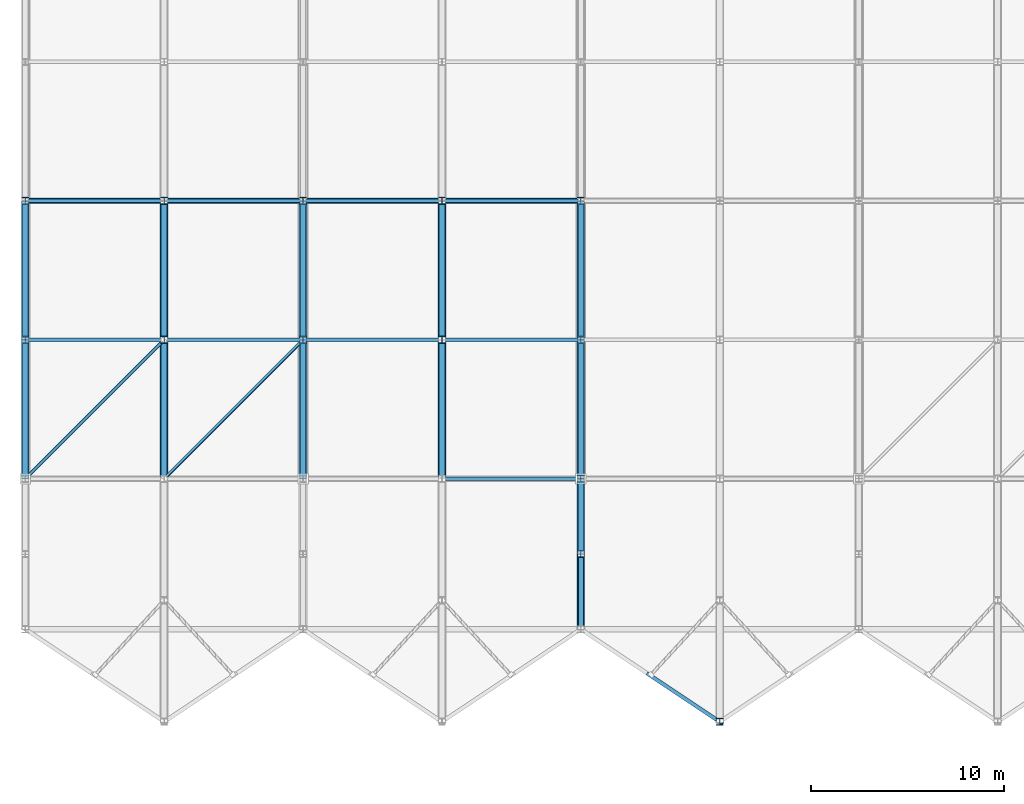
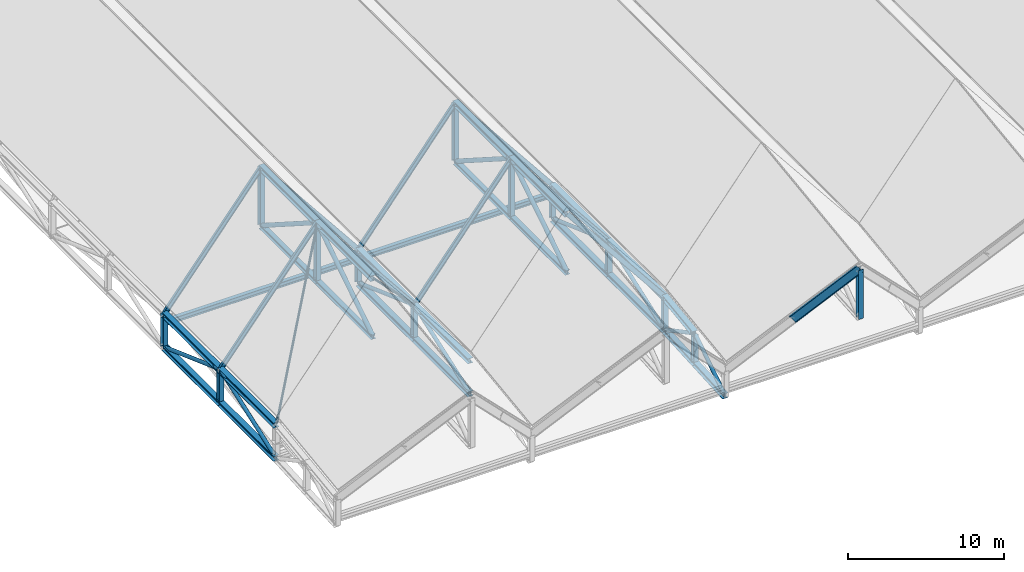
# One storey, part 4 of 60: 60 members, 2 beams.
"""IFC4 building model written with IfcOpenShell, lengths in metres."""

from ifc_helpers import new_model, si_unit, direction, frame, origin, origin_2d, place, context, subcontext, project, spatial, hollow_circle, i_section, extrude, material, material_profile, profile_set, type_object, element, save


model = new_model("IFC4")

# Units and contexts
model_context = context("Model", 3, precision=1e-05, world=origin(), true_north=direction((0.0, 1.0)))
body_context = subcontext(model_context, "Body", "Model", "MODEL_VIEW")
ifc_project = project(units=[si_unit("LENGTHUNIT", "METRE"), si_unit("AREAUNIT", "SQUARE_METRE"), si_unit("VOLUMEUNIT", "CUBIC_METRE"), si_unit("PLANEANGLEUNIT", "RADIAN"), si_unit("MASSUNIT", "GRAM", prefix="KILO")], contexts=[model_context])

# Site, building, storey
site_placement = place(None, origin())
site = spatial("IfcSite", under=ifc_project, at=site_placement, CompositionType="ELEMENT")
building_placement = place(site_placement, origin())
building = spatial("IfcBuilding", under=site, at=building_placement, Name="Vesperath Aquatics Centre", CompositionType="ELEMENT")
storey_placement = place(building_placement, frame((0.0, 0.0, 27.60009765625)))
storey = spatial("IfcBuildingStorey", under=building, at=storey_placement, Name="RF", CompositionType="ELEMENT", Elevation=27.60009765625)

# Beams
ifc_material_1 = material(Name="Steel Q355C", Category="steel")
ifc_material_profile_1 = material_profile(ifc_material_1, i_section(OverallWidth=0.300048828125, OverallDepth=0.389892578125, WebThickness=0.010009765625, FlangeThickness=0.01611328125, FilletRadius=0.02197265625, at=origin_2d()), Name="HM 390x300x10x16")
ifc_profile_set_1 = profile_set([ifc_material_profile_1], Name="Steel Q355C")
beam_type = type_object("IfcBeamType", Name="BM-RB03", PredefinedType="BEAM", material=ifc_profile_set_1)
beam_1_placement = place(storey_placement, frame((0.0, 28.800048828125, -10.478759765625), z_axis=(1.0, 0.0, 0.0), x_axis=(0.0, 1.0, 0.0)))
element("IfcBeam", 1, at=beam_1_placement, inside=storey, type_object=beam_type, Name="Natatorium Roof Deck Support Beam B11 G1-28.8", PredefinedType="BEAM", context=body_context, shape_type="SweptSolid", body=[
    extrude(i_section(OverallWidth=0.300048828125, OverallDepth=0.389892578125, WebThickness=0.010009765625, FlangeThickness=0.01611328125, FilletRadius=0.02197265625, at=origin_2d()), origin(), (0.0, 0.0, 1.0), 14.39990234375),
])
beam_2_placement = place(storey_placement, frame((14.39990234375, 28.800048828125, -10.478759765625), z_axis=(1.0, 0.0, 0.0), x_axis=(0.0, 1.0, 0.0)))
element("IfcBeam", 2, at=beam_2_placement, inside=storey, type_object=beam_type, Name="Natatorium Roof Deck Support Beam B11 G2-28.8", PredefinedType="BEAM", context=body_context, shape_type="SweptSolid", body=[
    extrude(i_section(OverallWidth=0.300048828125, OverallDepth=0.389892578125, WebThickness=0.010009765625, FlangeThickness=0.01611328125, FilletRadius=0.02197265625, at=origin_2d()), origin(), (0.0, 0.0, 1.0), 14.400146484375),
])

# Members
ifc_material_2 = material(Name="Steel Q355D", Category="steel")
ifc_material_profile_2 = material_profile(ifc_material_2, i_section(OverallWidth=0.199951171875, OverallDepth=0.60009765625, WebThickness=0.010986328125, FlangeThickness=0.01708984375, FilletRadius=0.02197265625, at=origin_2d()), Name="HN 600x200x11x17")
ifc_profile_set_2 = profile_set([ifc_material_profile_2], Name="Steel Q355D")
member_type_1 = type_object("IfcMemberType", Name="MB-AR01", PredefinedType="RAFTER", material=ifc_profile_set_2)
member_1_placement = place(storey_placement, frame((32.39990234375, 4.199951171875, -6.660888671875), z_axis=(0.598438958022, -0.398932249922, 0.694783328451), x_axis=(0.554674152876, 0.832067655982, 0.0)))
element("IfcMember", 3, at=member_1_placement, inside=storey, type_object=member_type_1, Name="Natatorium Cutback Hood Verge Rafter AR01 B5B", PredefinedType="RAFTER", context=body_context, shape_type="SweptSolid", body=[
    extrude(i_section(OverallWidth=0.199951171875, OverallDepth=0.60009765625, WebThickness=0.010986328125, FlangeThickness=0.01708984375, FilletRadius=0.02197265625, at=origin_2d()), origin(), (0.0, 0.0, 1.0), 6.015869140625),
])
ifc_material_profile_3 = material_profile(ifc_material_2, i_section(OverallWidth=0.39990234375, OverallDepth=0.39990234375, WebThickness=0.012939453125, FlangeThickness=0.02099609375, FilletRadius=0.02197265625, at=origin_2d()), Name="HW 400x400x13x21")
ifc_profile_set_3 = profile_set([ifc_material_profile_3], Name="Steel Q355D")
member_type_2 = type_object("IfcMemberType", Name="MB-BC01", PredefinedType="CHORD", material=ifc_profile_set_3)
member_2_placement = place(storey_placement, frame((0.0, 14.39990234375, -12.400146484375), z_axis=(0.0, 1.0, 0.0), x_axis=(-1.0, 0.0, 0.0)))
element("IfcMember", 4, at=member_2_placement, inside=storey, type_object=member_type_2, Name="Natatorium ROOF TRUSS Bottom Chord BC01 G1-3", PredefinedType="CHORD", context=body_context, shape_type="SweptSolid", body=[
    extrude(i_section(OverallWidth=0.39990234375, OverallDepth=0.39990234375, WebThickness=0.012939453125, FlangeThickness=0.02099609375, FilletRadius=0.02197265625, at=origin_2d()), origin(), (0.0, 0.0, 1.0), 7.2001953125),
])
member_3_placement = place(storey_placement, frame((0.0, 21.60009765625, -12.400146484375), z_axis=(0.0, 1.0, 0.0), x_axis=(-1.0, 0.0, 0.0)))
element("IfcMember", 5, at=member_3_placement, inside=storey, type_object=member_type_2, Name="Natatorium ROOF TRUSS Bottom Chord BC01 G1-4", PredefinedType="CHORD", context=body_context, shape_type="SweptSolid", body=[
    extrude(i_section(OverallWidth=0.39990234375, OverallDepth=0.39990234375, WebThickness=0.012939453125, FlangeThickness=0.02099609375, FilletRadius=0.02197265625, at=origin_2d()), origin(), (0.0, 0.0, 1.0), 7.199951171875),
])
member_4_placement = place(storey_placement, frame((14.39990234375, 14.39990234375, -12.400146484375), z_axis=(0.0, 1.0, 0.0), x_axis=(-1.0, 0.0, 0.0)))
element("IfcMember", 6, at=member_4_placement, inside=storey, type_object=member_type_2, Name="Natatorium ROOF TRUSS Bottom Chord BC01 G3-3", PredefinedType="CHORD", context=body_context, shape_type="SweptSolid", body=[
    extrude(i_section(OverallWidth=0.39990234375, OverallDepth=0.39990234375, WebThickness=0.012939453125, FlangeThickness=0.02099609375, FilletRadius=0.02197265625, at=origin_2d()), origin(), (0.0, 0.0, 1.0), 7.2001953125),
])
member_5_placement = place(storey_placement, frame((14.39990234375, 21.60009765625, -12.400146484375), z_axis=(0.0, 1.0, 0.0), x_axis=(-1.0, 0.0, 0.0)))
element("IfcMember", 7, at=member_5_placement, inside=storey, type_object=member_type_2, Name="Natatorium ROOF TRUSS Bottom Chord BC01 G3-4", PredefinedType="CHORD", context=body_context, shape_type="SweptSolid", body=[
    extrude(i_section(OverallWidth=0.39990234375, OverallDepth=0.39990234375, WebThickness=0.012939453125, FlangeThickness=0.02099609375, FilletRadius=0.02197265625, at=origin_2d()), origin(), (0.0, 0.0, 1.0), 7.199951171875),
])
for number, where, z_axis, x_axis, name in (
    (8, (28.800048828125, 6.60009765625, -12.868408203125), (0.0, 0.998202752751, 0.059927159127), (-1.0, 0.0, 0.0), "Natatorium ROOF TRUSS Bottom Chord BC01 G5-1"),
    (9, (28.800048828125, 10.5, -12.63427734375), (0.0, 0.998202752751, 0.059927159127), (-1.0, 0.0, 0.0), "Natatorium ROOF TRUSS Bottom Chord BC01 G5-2"),
):
    element("IfcMember", number, at=place(storey_placement, frame(where, z_axis=z_axis, x_axis=x_axis)), inside=storey, type_object=member_type_2, Name=name, PredefinedType="CHORD", context=body_context, shape_type="SweptSolid", body=[
        extrude(i_section(OverallWidth=0.39990234375, OverallDepth=0.39990234375, WebThickness=0.012939453125, FlangeThickness=0.02099609375, FilletRadius=0.02197265625, at=origin_2d()), origin(), (0.0, 0.0, 1.0), 3.906982421875),
    ])
member_6_placement = place(storey_placement, frame((28.800048828125, 14.39990234375, -12.400146484375), z_axis=(0.0, 1.0, 0.0), x_axis=(-1.0, 0.0, 0.0)))
element("IfcMember", 10, at=member_6_placement, inside=storey, type_object=member_type_2, Name="Natatorium ROOF TRUSS Bottom Chord BC01 G5-3", PredefinedType="CHORD", context=body_context, shape_type="SweptSolid", body=[
    extrude(i_section(OverallWidth=0.39990234375, OverallDepth=0.39990234375, WebThickness=0.012939453125, FlangeThickness=0.02099609375, FilletRadius=0.02197265625, at=origin_2d()), origin(), (0.0, 0.0, 1.0), 7.2001953125),
])
member_7_placement = place(storey_placement, frame((28.800048828125, 21.60009765625, -12.400146484375), z_axis=(0.0, 1.0, 0.0), x_axis=(-1.0, 0.0, 0.0)))
element("IfcMember", 11, at=member_7_placement, inside=storey, type_object=member_type_2, Name="Natatorium ROOF TRUSS Bottom Chord BC01 G5-4", PredefinedType="CHORD", context=body_context, shape_type="SweptSolid", body=[
    extrude(i_section(OverallWidth=0.39990234375, OverallDepth=0.39990234375, WebThickness=0.012939453125, FlangeThickness=0.02099609375, FilletRadius=0.02197265625, at=origin_2d()), origin(), (0.0, 0.0, 1.0), 7.199951171875),
])
ifc_material_profile_4 = material_profile(ifc_material_2, i_section(OverallWidth=0.35009765625, OverallDepth=0.35009765625, WebThickness=0.011962890625, FlangeThickness=0.01904296875, FilletRadius=0.02001953125, at=origin_2d()), Name="HW 350x350x12x19")
ifc_profile_set_4 = profile_set([ifc_material_profile_4], Name="Steel Q355D")
member_type_3 = type_object("IfcMemberType", Name="MB-BC02", PredefinedType="CHORD", material=ifc_profile_set_4)
member_8_placement = place(storey_placement, frame((7.199951171875, 14.39990234375, -5.400146484375), z_axis=(0.0, 1.0, 0.0), x_axis=(-1.0, 0.0, 0.0)))
element("IfcMember", 12, at=member_8_placement, inside=storey, type_object=member_type_3, Name="Natatorium ROOF TRUSS Bottom Chord BC02 G2-3", PredefinedType="CHORD", context=body_context, shape_type="SweptSolid", body=[
    extrude(i_section(OverallWidth=0.35009765625, OverallDepth=0.35009765625, WebThickness=0.011962890625, FlangeThickness=0.01904296875, FilletRadius=0.02001953125, at=origin_2d()), origin(), (0.0, 0.0, 1.0), 7.2001953125),
])
member_9_placement = place(storey_placement, frame((7.199951171875, 21.60009765625, -5.400146484375), z_axis=(0.0, 1.0, 0.0), x_axis=(-1.0, 0.0, 0.0)))
element("IfcMember", 13, at=member_9_placement, inside=storey, type_object=member_type_3, Name="Natatorium ROOF TRUSS Bottom Chord BC02 G2-4", PredefinedType="CHORD", context=body_context, shape_type="SweptSolid", body=[
    extrude(i_section(OverallWidth=0.35009765625, OverallDepth=0.35009765625, WebThickness=0.011962890625, FlangeThickness=0.01904296875, FilletRadius=0.02001953125, at=origin_2d()), origin(), (0.0, 0.0, 1.0), 7.199951171875),
])
member_10_placement = place(storey_placement, frame((21.60009765625, 14.39990234375, -5.400146484375), z_axis=(0.0, 1.0, 0.0), x_axis=(-1.0, 0.0, 0.0)))
element("IfcMember", 14, at=member_10_placement, inside=storey, type_object=member_type_3, Name="Natatorium ROOF TRUSS Bottom Chord BC02 G4-3", PredefinedType="CHORD", context=body_context, shape_type="SweptSolid", body=[
    extrude(i_section(OverallWidth=0.35009765625, OverallDepth=0.35009765625, WebThickness=0.011962890625, FlangeThickness=0.01904296875, FilletRadius=0.02001953125, at=origin_2d()), origin(), (0.0, 0.0, 1.0), 7.2001953125),
])
member_11_placement = place(storey_placement, frame((21.60009765625, 21.60009765625, -5.400146484375), z_axis=(0.0, 1.0, 0.0), x_axis=(-1.0, 0.0, 0.0)))
element("IfcMember", 15, at=member_11_placement, inside=storey, type_object=member_type_3, Name="Natatorium ROOF TRUSS Bottom Chord BC02 G4-4", PredefinedType="CHORD", context=body_context, shape_type="SweptSolid", body=[
    extrude(i_section(OverallWidth=0.35009765625, OverallDepth=0.35009765625, WebThickness=0.011962890625, FlangeThickness=0.01904296875, FilletRadius=0.02001953125, at=origin_2d()), origin(), (0.0, 0.0, 1.0), 7.199951171875),
])
ifc_material_profile_5 = material_profile(ifc_material_2, hollow_circle(Radius=0.084228515625, WallThickness=0.008056640625, at=origin_2d()), Name="CHS 168.3x8")
ifc_profile_set_5 = profile_set([ifc_material_profile_5], Name="Steel Q355D")
member_type_4 = type_object("IfcMemberType", Name="MB-BR01", PredefinedType="BRACE", material=ifc_profile_set_5)
for number, where, z_axis, x_axis, name in (
    (16, (0.04248046875, 14.4423828125, -9.7470703125), (0.529812942826, 0.529812942826, 0.662266178533), (-0.707106781187, 0.707106781187, 0.0), "Natatorium Roof Brace BR01 B1-14"),
    (17, (7.242431640625, 14.4423828125, -0.85302734375), (0.529812942826, 0.529812942826, -0.662266178533), (-0.707106781187, 0.707106781187, 0.0), "Natatorium Roof Brace BR01 B2-14"),
):
    element("IfcMember", number, at=place(storey_placement, frame(where, z_axis=z_axis, x_axis=x_axis)), inside=storey, type_object=member_type_4, Name=name, PredefinedType="BRACE", context=body_context, shape_type="SweptSolid", body=[
        extrude(hollow_circle(Radius=0.084228515625, WallThickness=0.008056640625, at=origin_2d()), origin(), (0.0, 0.0, 1.0), 13.4296875),
    ])
ifc_material_profile_6 = material_profile(ifc_material_1, i_section(OverallWidth=0.175048828125, OverallDepth=0.35009765625, WebThickness=0.007080078125, FlangeThickness=0.010986328125, FilletRadius=0.012939453125, at=origin_2d()), Name="HN 350x175x7x11")
ifc_profile_set_6 = profile_set([ifc_material_profile_6], Name="Steel Q355C")
member_type_5 = type_object("IfcMemberType", Name="MB-PR01", PredefinedType="PURLIN", material=ifc_profile_set_6)
for number, where, z_axis, x_axis, name in (
    (18, (0.0, 21.60009765625, -9.800048828125), (0.624692464322, 0.0, 0.780870876022), (0.0, 1.0, 0.0), "Natatorium Roof Purlin PR01 B1-2"),
    (19, (0.0, 28.800048828125, -9.800048828125), (0.624692464322, 0.0, 0.780870876022), (0.0, 1.0, 0.0), "Natatorium Roof Purlin PR01 B1-3"),
    (20, (7.199951171875, 21.60009765625, -0.800048828125), (0.624692464322, 0.0, -0.780870876022), (0.0, 1.0, 0.0), "Natatorium Roof Purlin PR01 B2-2"),
    (21, (7.199951171875, 28.800048828125, -0.800048828125), (0.624692464322, 0.0, -0.780870876022), (0.0, 1.0, 0.0), "Natatorium Roof Purlin PR01 B2-3"),
    (22, (14.39990234375, 21.60009765625, -9.800048828125), (0.624705380279, 0.0, 0.780860543151), (0.0, 1.0, 0.0), "Natatorium Roof Purlin PR01 B3-2"),
    (23, (14.39990234375, 28.800048828125, -9.800048828125), (0.624705380279, 0.0, 0.780860543151), (0.0, 1.0, 0.0), "Natatorium Roof Purlin PR01 B3-3"),
    (24, (21.60009765625, 14.39990234375, -0.800048828125), (0.624692464322, 0.0, -0.780870876022), (0.0, 1.0, 0.0), "Natatorium Roof Purlin PR01 B4-1"),
    (25, (21.60009765625, 21.60009765625, -0.800048828125), (0.624692464322, 0.0, -0.780870876022), (0.0, 1.0, 0.0), "Natatorium Roof Purlin PR01 B4-2"),
    (26, (21.60009765625, 28.800048828125, -0.800048828125), (0.624692464322, 0.0, -0.780870876022), (0.0, 1.0, 0.0), "Natatorium Roof Purlin PR01 B4-3"),
):
    element("IfcMember", number, at=place(storey_placement, frame(where, z_axis=z_axis, x_axis=x_axis)), inside=storey, type_object=member_type_5, Name=name, PredefinedType="PURLIN", context=body_context, shape_type="SweptSolid", body=[
        extrude(i_section(OverallWidth=0.175048828125, OverallDepth=0.35009765625, WebThickness=0.007080078125, FlangeThickness=0.010986328125, FilletRadius=0.012939453125, at=origin_2d()), origin(), (0.0, 0.0, 1.0), 11.525634765625),
    ])
ifc_material_profile_7 = material_profile(ifc_material_2, i_section(OverallWidth=0.406982421875, OverallDepth=0.427978515625, WebThickness=0.02001953125, FlangeThickness=0.034912109375, FilletRadius=0.02197265625, at=origin_2d()), Name="HW 428x407x20x35")
ifc_profile_set_7 = profile_set([ifc_material_profile_7], Name="Steel Q355D")
member_type_6 = type_object("IfcMemberType", Name="MB-TC01", PredefinedType="CHORD", material=ifc_profile_set_7)
member_12_placement = place(storey_placement, frame((7.199951171875, 14.39990234375, -0.800048828125), z_axis=(0.0, 1.0, 0.0), x_axis=(-1.0, 0.0, 0.0)))
element("IfcMember", 27, at=member_12_placement, inside=storey, type_object=member_type_6, Name="Natatorium ROOF TRUSS Top Chord TC01 G2-3", PredefinedType="CHORD", context=body_context, shape_type="SweptSolid", body=[
    extrude(i_section(OverallWidth=0.406982421875, OverallDepth=0.427978515625, WebThickness=0.02001953125, FlangeThickness=0.034912109375, FilletRadius=0.02197265625, at=origin_2d()), origin(), (0.0, 0.0, 1.0), 7.2001953125),
])
member_13_placement = place(storey_placement, frame((7.199951171875, 21.60009765625, -0.800048828125), z_axis=(0.0, 1.0, 0.0), x_axis=(-1.0, 0.0, 0.0)))
element("IfcMember", 28, at=member_13_placement, inside=storey, type_object=member_type_6, Name="Natatorium ROOF TRUSS Top Chord TC01 G2-4", PredefinedType="CHORD", context=body_context, shape_type="SweptSolid", body=[
    extrude(i_section(OverallWidth=0.406982421875, OverallDepth=0.427978515625, WebThickness=0.02001953125, FlangeThickness=0.034912109375, FilletRadius=0.02197265625, at=origin_2d()), origin(), (0.0, 0.0, 1.0), 7.199951171875),
])
member_14_placement = place(storey_placement, frame((21.60009765625, 14.39990234375, -0.800048828125), z_axis=(0.0, 1.0, 0.0), x_axis=(-1.0, 0.0, 0.0)))
element("IfcMember", 29, at=member_14_placement, inside=storey, type_object=member_type_6, Name="Natatorium ROOF TRUSS Top Chord TC01 G4-3", PredefinedType="CHORD", context=body_context, shape_type="SweptSolid", body=[
    extrude(i_section(OverallWidth=0.406982421875, OverallDepth=0.427978515625, WebThickness=0.02001953125, FlangeThickness=0.034912109375, FilletRadius=0.02197265625, at=origin_2d()), origin(), (0.0, 0.0, 1.0), 7.2001953125),
])
member_15_placement = place(storey_placement, frame((21.60009765625, 21.60009765625, -0.800048828125), z_axis=(0.0, 1.0, 0.0), x_axis=(-1.0, 0.0, 0.0)))
element("IfcMember", 30, at=member_15_placement, inside=storey, type_object=member_type_6, Name="Natatorium ROOF TRUSS Top Chord TC01 G4-4", PredefinedType="CHORD", context=body_context, shape_type="SweptSolid", body=[
    extrude(i_section(OverallWidth=0.406982421875, OverallDepth=0.427978515625, WebThickness=0.02001953125, FlangeThickness=0.034912109375, FilletRadius=0.02197265625, at=origin_2d()), origin(), (0.0, 0.0, 1.0), 7.199951171875),
])
ifc_material_profile_8 = material_profile(ifc_material_2, i_section(OverallWidth=0.39990234375, OverallDepth=0.39990234375, WebThickness=0.012939453125, FlangeThickness=0.02099609375, FilletRadius=0.02197265625, at=origin_2d()), Name="HW 400x400x13x21")
ifc_profile_set_8 = profile_set([ifc_material_profile_8], Name="Steel Q355D")
member_type_7 = type_object("IfcMemberType", Name="MB-TC02", PredefinedType="CHORD", material=ifc_profile_set_8)
member_16_placement = place(storey_placement, frame((0.0, 14.39990234375, -9.800048828125), z_axis=(0.0, 1.0, 0.0), x_axis=(-1.0, 0.0, 0.0)))
element("IfcMember", 31, at=member_16_placement, inside=storey, type_object=member_type_7, Name="Natatorium ROOF TRUSS Top Chord TC02 G1-3", PredefinedType="CHORD", context=body_context, shape_type="SweptSolid", body=[
    extrude(i_section(OverallWidth=0.39990234375, OverallDepth=0.39990234375, WebThickness=0.012939453125, FlangeThickness=0.02099609375, FilletRadius=0.02197265625, at=origin_2d()), origin(), (0.0, 0.0, 1.0), 7.2001953125),
])
member_17_placement = place(storey_placement, frame((0.0, 21.60009765625, -9.800048828125), z_axis=(0.0, 1.0, 0.0), x_axis=(-1.0, 0.0, 0.0)))
element("IfcMember", 32, at=member_17_placement, inside=storey, type_object=member_type_7, Name="Natatorium ROOF TRUSS Top Chord TC02 G1-4", PredefinedType="CHORD", context=body_context, shape_type="SweptSolid", body=[
    extrude(i_section(OverallWidth=0.39990234375, OverallDepth=0.39990234375, WebThickness=0.012939453125, FlangeThickness=0.02099609375, FilletRadius=0.02197265625, at=origin_2d()), origin(), (0.0, 0.0, 1.0), 7.199951171875),
])
member_18_placement = place(storey_placement, frame((14.39990234375, 14.39990234375, -9.800048828125), z_axis=(0.0, 1.0, 0.0), x_axis=(-1.0, 0.0, 0.0)))
element("IfcMember", 33, at=member_18_placement, inside=storey, type_object=member_type_7, Name="Natatorium ROOF TRUSS Top Chord TC02 G3-3", PredefinedType="CHORD", context=body_context, shape_type="SweptSolid", body=[
    extrude(i_section(OverallWidth=0.39990234375, OverallDepth=0.39990234375, WebThickness=0.012939453125, FlangeThickness=0.02099609375, FilletRadius=0.02197265625, at=origin_2d()), origin(), (0.0, 0.0, 1.0), 7.2001953125),
])
member_19_placement = place(storey_placement, frame((14.39990234375, 21.60009765625, -9.800048828125), z_axis=(0.0, 1.0, 0.0), x_axis=(-1.0, 0.0, 0.0)))
element("IfcMember", 34, at=member_19_placement, inside=storey, type_object=member_type_7, Name="Natatorium ROOF TRUSS Top Chord TC02 G3-4", PredefinedType="CHORD", context=body_context, shape_type="SweptSolid", body=[
    extrude(i_section(OverallWidth=0.39990234375, OverallDepth=0.39990234375, WebThickness=0.012939453125, FlangeThickness=0.02099609375, FilletRadius=0.02197265625, at=origin_2d()), origin(), (0.0, 0.0, 1.0), 7.199951171875),
])
member_20_placement = place(storey_placement, frame((28.800048828125, 10.5, -10.320556640625), z_axis=(0.0, 0.991210550247, 0.132293783218), x_axis=(-1.0, 0.0, 0.0)))
element("IfcMember", 35, at=member_20_placement, inside=storey, type_object=member_type_7, Name="Natatorium ROOF TRUSS Top Chord TC02 G5-2", PredefinedType="CHORD", context=body_context, shape_type="SweptSolid", body=[
    extrude(i_section(OverallWidth=0.39990234375, OverallDepth=0.39990234375, WebThickness=0.012939453125, FlangeThickness=0.02099609375, FilletRadius=0.02197265625, at=origin_2d()), origin(), (0.0, 0.0, 1.0), 3.9345703125),
])
member_21_placement = place(storey_placement, frame((28.800048828125, 14.39990234375, -9.800048828125), z_axis=(0.0, 1.0, 0.0), x_axis=(-1.0, 0.0, 0.0)))
element("IfcMember", 36, at=member_21_placement, inside=storey, type_object=member_type_7, Name="Natatorium ROOF TRUSS Top Chord TC02 G5-3", PredefinedType="CHORD", context=body_context, shape_type="SweptSolid", body=[
    extrude(i_section(OverallWidth=0.39990234375, OverallDepth=0.39990234375, WebThickness=0.012939453125, FlangeThickness=0.02099609375, FilletRadius=0.02197265625, at=origin_2d()), origin(), (0.0, 0.0, 1.0), 7.2001953125),
])
member_22_placement = place(storey_placement, frame((28.800048828125, 21.60009765625, -9.800048828125), z_axis=(0.0, 1.0, 0.0), x_axis=(-1.0, 0.0, 0.0)))
element("IfcMember", 37, at=member_22_placement, inside=storey, type_object=member_type_7, Name="Natatorium ROOF TRUSS Top Chord TC02 G5-4", PredefinedType="CHORD", context=body_context, shape_type="SweptSolid", body=[
    extrude(i_section(OverallWidth=0.39990234375, OverallDepth=0.39990234375, WebThickness=0.012939453125, FlangeThickness=0.02099609375, FilletRadius=0.02197265625, at=origin_2d()), origin(), (0.0, 0.0, 1.0), 7.199951171875),
])
ifc_material_profile_9 = material_profile(ifc_material_2, hollow_circle(Radius=0.161865234375, WallThickness=0.013916015625, at=origin_2d()), Name="CHS 323.9x14")
ifc_profile_set_9 = profile_set([ifc_material_profile_9], Name="Steel Q355D")
member_type_8 = type_object("IfcMemberType", Name="MB-TD01", PredefinedType="BRACE", material=ifc_profile_set_9)
member_23_placement = place(storey_placement, frame((7.199951171875, 14.467529296875, -5.35693359375), z_axis=(0.0, 0.842698461818, 0.538385830468), x_axis=(-1.0, 0.0, 0.0)))
element("IfcMember", 38, at=member_23_placement, inside=storey, type_object=member_type_8, Name="Natatorium ROOF TRUSS Diagonal TD01 G2-3", PredefinedType="BRACE", context=body_context, shape_type="SweptSolid", body=[
    extrude(hollow_circle(Radius=0.161865234375, WallThickness=0.013916015625, at=origin_2d()), origin(), (0.0, 0.0, 1.0), 8.3837890625),
])
member_24_placement = place(storey_placement, frame((7.199951171875, 21.66748046875, -0.84326171875), z_axis=(0.0, 0.84270690245, -0.538372618698), x_axis=(-1.0, 0.0, 0.0)))
element("IfcMember", 39, at=member_24_placement, inside=storey, type_object=member_type_8, Name="Natatorium ROOF TRUSS Diagonal TD01 G2-4", PredefinedType="BRACE", context=body_context, shape_type="SweptSolid", body=[
    extrude(hollow_circle(Radius=0.161865234375, WallThickness=0.013916015625, at=origin_2d()), origin(), (0.0, 0.0, 1.0), 8.384033203125),
])
member_25_placement = place(storey_placement, frame((21.60009765625, 14.467529296875, -5.35693359375), z_axis=(0.0, 0.842698461818, 0.538385830468), x_axis=(-1.0, 0.0, 0.0)))
element("IfcMember", 40, at=member_25_placement, inside=storey, type_object=member_type_8, Name="Natatorium ROOF TRUSS Diagonal TD01 G4-3", PredefinedType="BRACE", context=body_context, shape_type="SweptSolid", body=[
    extrude(hollow_circle(Radius=0.161865234375, WallThickness=0.013916015625, at=origin_2d()), origin(), (0.0, 0.0, 1.0), 8.3837890625),
])
member_26_placement = place(storey_placement, frame((21.60009765625, 21.66748046875, -0.84326171875), z_axis=(0.0, 0.84270690245, -0.538372618698), x_axis=(-1.0, 0.0, 0.0)))
element("IfcMember", 41, at=member_26_placement, inside=storey, type_object=member_type_8, Name="Natatorium ROOF TRUSS Diagonal TD01 G4-4", PredefinedType="BRACE", context=body_context, shape_type="SweptSolid", body=[
    extrude(hollow_circle(Radius=0.161865234375, WallThickness=0.013916015625, at=origin_2d()), origin(), (0.0, 0.0, 1.0), 8.384033203125),
])
ifc_material_profile_10 = material_profile(ifc_material_2, hollow_circle(Radius=0.136474609375, WallThickness=0.011962890625, at=origin_2d()), Name="CHS 273.0x12")
ifc_profile_set_10 = profile_set([ifc_material_profile_10], Name="Steel Q355D")
member_type_9 = type_object("IfcMemberType", Name="MB-TD02", PredefinedType="BRACE", material=ifc_profile_set_10)
member_27_placement = place(storey_placement, frame((0.0, 14.475341796875, -12.373046875), z_axis=(0.0, 0.940540602568, 0.339681284324), x_axis=(-1.0, 0.0, 0.0)))
element("IfcMember", 42, at=member_27_placement, inside=storey, type_object=member_type_9, Name="Natatorium ROOF TRUSS Diagonal TD02 G1-3", PredefinedType="BRACE", context=body_context, shape_type="SweptSolid", body=[
    extrude(hollow_circle(Radius=0.136474609375, WallThickness=0.011962890625, at=origin_2d()), origin(), (0.0, 0.0, 1.0), 7.494873046875),
])
member_28_placement = place(storey_placement, frame((0.0, 21.67529296875, -9.8271484375), z_axis=(0.0, 0.940544360889, -0.339670877761), x_axis=(-1.0, 0.0, 0.0)))
element("IfcMember", 43, at=member_28_placement, inside=storey, type_object=member_type_9, Name="Natatorium ROOF TRUSS Diagonal TD02 G1-4", PredefinedType="BRACE", context=body_context, shape_type="SweptSolid", body=[
    extrude(hollow_circle(Radius=0.136474609375, WallThickness=0.011962890625, at=origin_2d()), origin(), (0.0, 0.0, 1.0), 7.4951171875),
])
member_29_placement = place(storey_placement, frame((14.39990234375, 14.475341796875, -12.373046875), z_axis=(0.0, 0.940540602568, 0.339681284324), x_axis=(-1.0, 0.0, 0.0)))
element("IfcMember", 44, at=member_29_placement, inside=storey, type_object=member_type_9, Name="Natatorium ROOF TRUSS Diagonal TD02 G3-3", PredefinedType="BRACE", context=body_context, shape_type="SweptSolid", body=[
    extrude(hollow_circle(Radius=0.136474609375, WallThickness=0.011962890625, at=origin_2d()), origin(), (0.0, 0.0, 1.0), 7.494873046875),
])
member_30_placement = place(storey_placement, frame((14.39990234375, 21.67529296875, -9.8271484375), z_axis=(0.0, 0.940544360889, -0.339670877761), x_axis=(-1.0, 0.0, 0.0)))
element("IfcMember", 45, at=member_30_placement, inside=storey, type_object=member_type_9, Name="Natatorium ROOF TRUSS Diagonal TD02 G3-4", PredefinedType="BRACE", context=body_context, shape_type="SweptSolid", body=[
    extrude(hollow_circle(Radius=0.136474609375, WallThickness=0.011962890625, at=origin_2d()), origin(), (0.0, 0.0, 1.0), 7.4951171875),
])
member_31_placement = place(storey_placement, frame((28.800048828125, 6.6669921875, -12.82470703125), z_axis=(0.0, 0.837174151823, 0.546936412684), x_axis=(-1.0, 0.0, 0.0)))
element("IfcMember", 46, at=member_31_placement, inside=storey, type_object=member_type_9, Name="Natatorium ROOF TRUSS Diagonal TD02 G5-1", PredefinedType="BRACE", context=body_context, shape_type="SweptSolid", body=[
    extrude(hollow_circle(Radius=0.136474609375, WallThickness=0.011962890625, at=origin_2d()), origin(), (0.0, 0.0, 1.0), 4.49853515625),
])
member_32_placement = place(storey_placement, frame((28.800048828125, 10.570556640625, -10.358154296875), z_axis=(0.0, 0.882381496589, -0.470534689984), x_axis=(-1.0, 0.0, 0.0)))
element("IfcMember", 47, at=member_32_placement, inside=storey, type_object=member_type_9, Name="Natatorium ROOF TRUSS Diagonal TD02 G5-2", PredefinedType="BRACE", context=body_context, shape_type="SweptSolid", body=[
    extrude(hollow_circle(Radius=0.136474609375, WallThickness=0.011962890625, at=origin_2d()), origin(), (0.0, 0.0, 1.0), 4.259765625),
])
member_33_placement = place(storey_placement, frame((28.800048828125, 14.475341796875, -12.373046875), z_axis=(0.0, 0.940540602568, 0.339681284324), x_axis=(-1.0, 0.0, 0.0)))
element("IfcMember", 48, at=member_33_placement, inside=storey, type_object=member_type_9, Name="Natatorium ROOF TRUSS Diagonal TD02 G5-3", PredefinedType="BRACE", context=body_context, shape_type="SweptSolid", body=[
    extrude(hollow_circle(Radius=0.136474609375, WallThickness=0.011962890625, at=origin_2d()), origin(), (0.0, 0.0, 1.0), 7.494873046875),
])
member_34_placement = place(storey_placement, frame((28.800048828125, 21.67529296875, -9.8271484375), z_axis=(0.0, 0.940544360889, -0.339670877761), x_axis=(-1.0, 0.0, 0.0)))
element("IfcMember", 49, at=member_34_placement, inside=storey, type_object=member_type_9, Name="Natatorium ROOF TRUSS Diagonal TD02 G5-4", PredefinedType="BRACE", context=body_context, shape_type="SweptSolid", body=[
    extrude(hollow_circle(Radius=0.136474609375, WallThickness=0.011962890625, at=origin_2d()), origin(), (0.0, 0.0, 1.0), 7.4951171875),
])
ifc_material_profile_11 = material_profile(ifc_material_2, i_section(OverallWidth=0.35009765625, OverallDepth=0.35009765625, WebThickness=0.011962890625, FlangeThickness=0.01904296875, FilletRadius=0.02001953125, at=origin_2d()), Name="HW 350x350x12x19")
ifc_profile_set_11 = profile_set([ifc_material_profile_11], Name="Steel Q355D")
member_type_10 = type_object("IfcMemberType", Name="MB-TP01", PredefinedType="POST", material=ifc_profile_set_11)
for number, where, z_axis, x_axis, name in (
    (50, (0.0, 21.60009765625, -12.400146484375), (0.0, 0.0, 1.0), (1.0, 0.0, 0.0), "Natatorium ROOF TRUSS Post TP01 G1-4"),
    (51, (0.0, 28.800048828125, -12.400146484375), (0.0, 0.0, 1.0), (1.0, 0.0, 0.0), "Natatorium ROOF TRUSS Post TP01 G1-5"),
):
    element("IfcMember", number, at=place(storey_placement, frame(where, z_axis=z_axis, x_axis=x_axis)), inside=storey, type_object=member_type_10, Name=name, PredefinedType="POST", context=body_context, shape_type="SweptSolid", body=[
        extrude(i_section(OverallWidth=0.35009765625, OverallDepth=0.35009765625, WebThickness=0.011962890625, FlangeThickness=0.01904296875, FilletRadius=0.02001953125, at=origin_2d()), origin(), (0.0, 0.0, 1.0), 2.60009765625),
    ])
for number, where, z_axis, x_axis, name in (
    (52, (7.199951171875, 21.60009765625, -5.400146484375), (0.0, 0.0, 1.0), (1.0, 0.0, 0.0), "Natatorium ROOF TRUSS Post TP01 G2-4"),
    (53, (7.199951171875, 28.800048828125, -5.400146484375), (0.0, 0.0, 1.0), (1.0, 0.0, 0.0), "Natatorium ROOF TRUSS Post TP01 G2-5"),
):
    element("IfcMember", number, at=place(storey_placement, frame(where, z_axis=z_axis, x_axis=x_axis)), inside=storey, type_object=member_type_10, Name=name, PredefinedType="POST", context=body_context, shape_type="SweptSolid", body=[
        extrude(i_section(OverallWidth=0.35009765625, OverallDepth=0.35009765625, WebThickness=0.011962890625, FlangeThickness=0.01904296875, FilletRadius=0.02001953125, at=origin_2d()), origin(), (0.0, 0.0, 1.0), 4.60009765625),
    ])
for number, where, z_axis, x_axis, name in (
    (54, (14.39990234375, 21.60009765625, -12.400146484375), (0.0, 0.0, 1.0), (1.0, 0.0, 0.0), "Natatorium ROOF TRUSS Post TP01 G3-4"),
    (55, (14.39990234375, 28.800048828125, -12.400146484375), (0.0, 0.0, 1.0), (1.0, 0.0, 0.0), "Natatorium ROOF TRUSS Post TP01 G3-5"),
):
    element("IfcMember", number, at=place(storey_placement, frame(where, z_axis=z_axis, x_axis=x_axis)), inside=storey, type_object=member_type_10, Name=name, PredefinedType="POST", context=body_context, shape_type="SweptSolid", body=[
        extrude(i_section(OverallWidth=0.35009765625, OverallDepth=0.35009765625, WebThickness=0.011962890625, FlangeThickness=0.01904296875, FilletRadius=0.02001953125, at=origin_2d()), origin(), (0.0, 0.0, 1.0), 2.60009765625),
    ])
for number, where, z_axis, x_axis, name in (
    (56, (21.60009765625, 21.60009765625, -5.400146484375), (0.0, 0.0, 1.0), (1.0, 0.0, 0.0), "Natatorium ROOF TRUSS Post TP01 G4-4"),
    (57, (21.60009765625, 28.800048828125, -5.400146484375), (0.0, 0.0, 1.0), (1.0, 0.0, 0.0), "Natatorium ROOF TRUSS Post TP01 G4-5"),
):
    element("IfcMember", number, at=place(storey_placement, frame(where, z_axis=z_axis, x_axis=x_axis)), inside=storey, type_object=member_type_10, Name=name, PredefinedType="POST", context=body_context, shape_type="SweptSolid", body=[
        extrude(i_section(OverallWidth=0.35009765625, OverallDepth=0.35009765625, WebThickness=0.011962890625, FlangeThickness=0.01904296875, FilletRadius=0.02001953125, at=origin_2d()), origin(), (0.0, 0.0, 1.0), 4.60009765625),
    ])
member_35_placement = place(storey_placement, frame((28.800048828125, 10.5, -12.63427734375), z_axis=(0.0, 0.0, 1.0), x_axis=(1.0, 0.0, 0.0)))
element("IfcMember", 58, at=member_35_placement, inside=storey, type_object=member_type_10, Name="Natatorium ROOF TRUSS Post TP01 G5-2", PredefinedType="POST", context=body_context, shape_type="SweptSolid", body=[
    extrude(i_section(OverallWidth=0.35009765625, OverallDepth=0.35009765625, WebThickness=0.011962890625, FlangeThickness=0.01904296875, FilletRadius=0.02001953125, at=origin_2d()), origin(), (0.0, 0.0, 1.0), 2.313720703125),
])
for number, where, z_axis, x_axis, name in (
    (59, (28.800048828125, 14.39990234375, -12.400146484375), (0.0, 0.0, 1.0), (1.0, 0.0, 0.0), "Natatorium ROOF TRUSS Post TP01 G5-3"),
    (60, (28.800048828125, 21.60009765625, -12.400146484375), (0.0, 0.0, 1.0), (1.0, 0.0, 0.0), "Natatorium ROOF TRUSS Post TP01 G5-4"),
    (61, (28.800048828125, 28.800048828125, -12.400146484375), (0.0, 0.0, 1.0), (1.0, 0.0, 0.0), "Natatorium ROOF TRUSS Post TP01 G5-5"),
):
    element("IfcMember", number, at=place(storey_placement, frame(where, z_axis=z_axis, x_axis=x_axis)), inside=storey, type_object=member_type_10, Name=name, PredefinedType="POST", context=body_context, shape_type="SweptSolid", body=[
        extrude(i_section(OverallWidth=0.35009765625, OverallDepth=0.35009765625, WebThickness=0.011962890625, FlangeThickness=0.01904296875, FilletRadius=0.02001953125, at=origin_2d()), origin(), (0.0, 0.0, 1.0), 2.60009765625),
    ])
member_36_placement = place(storey_placement, frame((36.0, 1.800048828125, -6.32470703125), z_axis=(0.0, 0.0, 1.0), x_axis=(1.0, 0.0, 0.0)))
element("IfcMember", 62, at=member_36_placement, inside=storey, type_object=member_type_10, Name="Natatorium ROOF TRUSS Post TP01 G6-1", PredefinedType="POST", context=body_context, shape_type="SweptSolid", body=[
    extrude(i_section(OverallWidth=0.35009765625, OverallDepth=0.35009765625, WebThickness=0.011962890625, FlangeThickness=0.01904296875, FilletRadius=0.02001953125, at=origin_2d()), origin(), (0.0, 0.0, 1.0), 3.843505859375),
])

save(model, "model.ifc")
